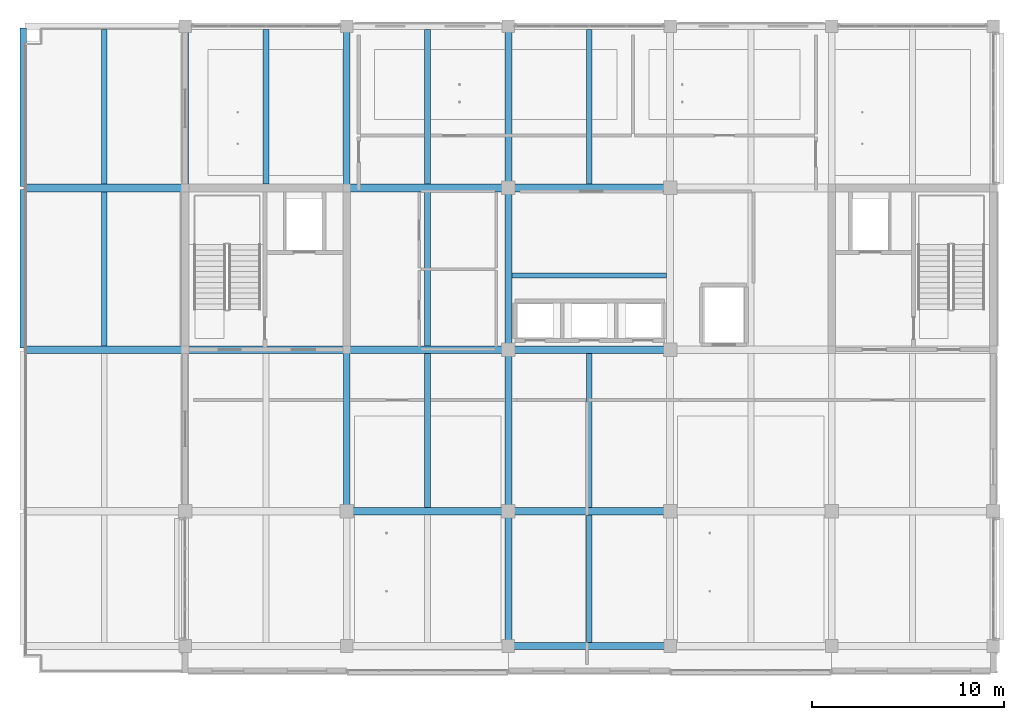
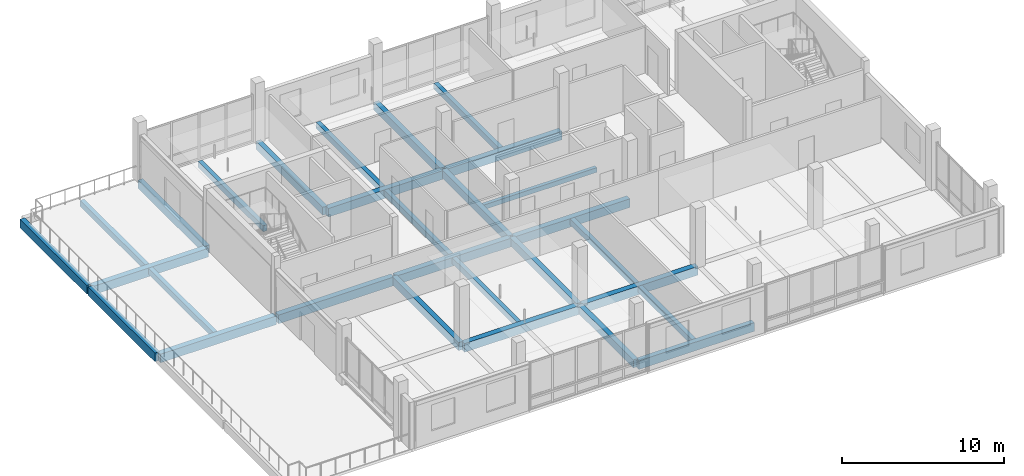
# One storey, part 3 of 28: 29 beams.
"""IFC4 building model written with IfcOpenShell, lengths in metres."""

from ifc_helpers import new_model, si_unit, direction, frame, origin, origin_2d, place, context, subcontext, project, spatial, rectangle, extrude, material, material_profile, profile_set, type_object, element, save


model = new_model("IFC4")

# Units and contexts
model_context = context("Model", 3, precision=1e-05, world=origin(), true_north=direction((0.0, 1.0)))
body_context = subcontext(model_context, "Body", "Model", "MODEL_VIEW")
ifc_project = project(units=[si_unit("LENGTHUNIT", "METRE"), si_unit("AREAUNIT", "SQUARE_METRE"), si_unit("VOLUMEUNIT", "CUBIC_METRE"), si_unit("PLANEANGLEUNIT", "RADIAN"), si_unit("MASSUNIT", "GRAM", prefix="KILO")], contexts=[model_context])

# Site, building, storey
site_placement = place(None, origin())
site = spatial("IfcSite", under=ifc_project, at=site_placement, CompositionType="ELEMENT")
building_placement = place(site_placement, origin())
building = spatial("IfcBuilding", under=site, at=building_placement, Name="Telukmera Botanical Conservatory", CompositionType="ELEMENT")
storey_placement = place(building_placement, frame((0.0, 0.0, 51.0)))
storey = spatial("IfcBuildingStorey", under=building, at=storey_placement, Name="L11", CompositionType="ELEMENT", Elevation=51.0)

# Beams
ifc_material_1 = material(Name="Concrete C40/50", Category="concrete")
ifc_material_profile_1 = material_profile(ifc_material_1, rectangle(XDim=0.300048828125, YDim=0.449951171875, at=origin_2d()), Name="RC 300x450")
ifc_profile_set_1 = profile_set([ifc_material_profile_1], Name="Concrete C40/50")
beam_type_1 = type_object("IfcBeamType", Name="Beam_B25", PredefinedType="JOIST", material=ifc_profile_set_1)
beam_1_placement = place(storey_placement, frame((54.60009765625, 26.199951171875, -0.22509765625), z_axis=(0.0, 1.0, 0.0), x_axis=(-1.0, 0.0, 0.0)))
element("IfcBeam", 1, at=beam_1_placement, inside=storey, type_object=beam_type_1, Name="Tower Secondary Floor Joist L11", PredefinedType="JOIST", context=body_context, shape_type="SweptSolid", body=[
    extrude(rectangle(XDim=0.300048828125, YDim=0.449951171875, at=origin_2d()), origin(), (0.0, 0.0, 1.0), 8.0),
])
for number, where, z_axis, x_axis, name in (
    (2, (54.60009765625, 34.60009765625, -0.22509765625), (0.0, 1.0, 0.0), (-1.0, 0.0, 0.0), "Tower Secondary Floor Joist L11"),
    (3, (63.0, 34.60009765625, -0.22509765625), (0.0, 1.0, 0.0), (-1.0, 0.0, 0.0), "Tower Secondary Floor Joist L11"),
):
    element("IfcBeam", number, at=place(storey_placement, frame(where, z_axis=z_axis, x_axis=x_axis)), inside=storey, type_object=beam_type_1, Name=name, PredefinedType="JOIST", context=body_context, shape_type="SweptSolid", body=[
        extrude(rectangle(XDim=0.300048828125, YDim=0.449951171875, at=origin_2d()), origin(), (0.0, 0.0, 1.0), 8.02490234375),
    ])
for number, where, z_axis, x_axis, name in (
    (4, (71.39990234375, 17.800048828125, -0.22509765625), (0.0, 1.0, 0.0), (-1.0, 0.0, 0.0), "Tower Secondary Floor Joist L11"),
    (5, (71.39990234375, 26.199951171875, -0.22509765625), (0.0, 1.0, 0.0), (-1.0, 0.0, 0.0), "Tower Secondary Floor Joist L11"),
):
    element("IfcBeam", number, at=place(storey_placement, frame(where, z_axis=z_axis, x_axis=x_axis)), inside=storey, type_object=beam_type_1, Name=name, PredefinedType="JOIST", context=body_context, shape_type="SweptSolid", body=[
        extrude(rectangle(XDim=0.300048828125, YDim=0.449951171875, at=origin_2d()), origin(), (0.0, 0.0, 1.0), 8.0),
    ])
beam_2_placement = place(storey_placement, frame((71.39990234375, 34.60009765625, -0.22509765625), z_axis=(0.0, 1.0, 0.0), x_axis=(-1.0, 0.0, 0.0)))
element("IfcBeam", 6, at=beam_2_placement, inside=storey, type_object=beam_type_1, Name="Tower Secondary Floor Joist L11", PredefinedType="JOIST", context=body_context, shape_type="SweptSolid", body=[
    extrude(rectangle(XDim=0.300048828125, YDim=0.449951171875, at=origin_2d()), origin(), (0.0, 0.0, 1.0), 8.02490234375),
])
beam_3_placement = place(storey_placement, frame((79.800048828125, 10.77490234375, -0.22509765625), z_axis=(0.0, 1.0, 0.0), x_axis=(-1.0, 0.0, 0.0)))
element("IfcBeam", 7, at=beam_3_placement, inside=storey, type_object=beam_type_1, Name="Tower Secondary Floor Joist L11", PredefinedType="JOIST", context=body_context, shape_type="SweptSolid", body=[
    extrude(rectangle(XDim=0.300048828125, YDim=0.449951171875, at=origin_2d()), origin(), (0.0, 0.0, 1.0), 6.625),
])
beam_4_placement = place(storey_placement, frame((79.800048828125, 17.800048828125, -0.22509765625), z_axis=(0.0, 1.0, 0.0), x_axis=(-1.0, 0.0, 0.0)))
element("IfcBeam", 8, at=beam_4_placement, inside=storey, type_object=beam_type_1, Name="Tower Secondary Floor Joist L11", PredefinedType="JOIST", context=body_context, shape_type="SweptSolid", body=[
    extrude(rectangle(XDim=0.300048828125, YDim=0.449951171875, at=origin_2d()), origin(), (0.0, 0.0, 1.0), 8.0),
])
beam_5_placement = place(storey_placement, frame((79.800048828125, 34.60009765625, -0.22509765625), z_axis=(0.0, 1.0, 0.0), x_axis=(-1.0, 0.0, 0.0)))
element("IfcBeam", 9, at=beam_5_placement, inside=storey, type_object=beam_type_1, Name="Tower Secondary Floor Joist L11", PredefinedType="JOIST", context=body_context, shape_type="SweptSolid", body=[
    extrude(rectangle(XDim=0.300048828125, YDim=0.449951171875, at=origin_2d()), origin(), (0.0, 0.0, 1.0), 8.02490234375),
])
ifc_material_profile_2 = material_profile(ifc_material_1, rectangle(XDim=0.39990234375, YDim=0.64990234375, at=origin_2d()), Name="RC 400x650")
ifc_profile_set_2 = profile_set([ifc_material_profile_2], Name="Concrete C40/50")
beam_type_2 = type_object("IfcBeamType", Name="Beam_B8", PredefinedType="BEAM", material=ifc_profile_set_2)
for number, where, z_axis, x_axis, name in (
    (10, (67.280029296875, 17.60009765625, -0.324951171875), (1.0, 0.0, 0.0), (0.0, 1.0, 0.0), "Tower Grid Beam L11"),
    (11, (75.679931640625, 17.60009765625, -0.324951171875), (1.0, 0.0, 0.0), (0.0, 1.0, 0.0), "Tower Grid Beam L11"),
    (12, (50.47998046875, 26.0, -0.324951171875), (1.0, 0.0, 0.0), (0.0, 1.0, 0.0), "Tower Grid Beam L11"),
):
    element("IfcBeam", number, at=place(storey_placement, frame(where, z_axis=z_axis, x_axis=x_axis)), inside=storey, type_object=beam_type_2, Name=name, PredefinedType="BEAM", context=body_context, shape_type="SweptSolid", body=[
        extrude(rectangle(XDim=0.39990234375, YDim=0.64990234375, at=origin_2d()), origin(), (0.0, 0.0, 1.0), 8.239990234375),
    ])
beam_6_placement = place(storey_placement, frame((58.8798828125, 26.0, -0.324951171875), z_axis=(1.0, 0.0, 0.0), x_axis=(0.0, 1.0, 0.0)))
element("IfcBeam", 13, at=beam_6_placement, inside=storey, type_object=beam_type_2, Name="Tower Grid Beam L11", PredefinedType="BEAM", context=body_context, shape_type="SweptSolid", body=[
    extrude(rectangle(XDim=0.39990234375, YDim=0.64990234375, at=origin_2d()), origin(), (0.0, 0.0, 1.0), 8.240234375),
])
for number, where, z_axis, x_axis, name in (
    (14, (67.280029296875, 26.0, -0.324951171875), (1.0, 0.0, 0.0), (0.0, 1.0, 0.0), "Tower Grid Beam L11"),
    (15, (75.679931640625, 26.0, -0.324951171875), (1.0, 0.0, 0.0), (0.0, 1.0, 0.0), "Tower Grid Beam L11"),
    (16, (50.47998046875, 34.39990234375, -0.324951171875), (1.0, 0.0, 0.0), (0.0, 1.0, 0.0), "Tower Grid Beam L11"),
    (17, (67.280029296875, 34.39990234375, -0.324951171875), (1.0, 0.0, 0.0), (0.0, 1.0, 0.0), "Tower Grid Beam L11"),
    (18, (75.679931640625, 34.39990234375, -0.324951171875), (1.0, 0.0, 0.0), (0.0, 1.0, 0.0), "Tower Grid Beam L11"),
):
    element("IfcBeam", number, at=place(storey_placement, frame(where, z_axis=z_axis, x_axis=x_axis)), inside=storey, type_object=beam_type_2, Name=name, PredefinedType="BEAM", context=body_context, shape_type="SweptSolid", body=[
        extrude(rectangle(XDim=0.39990234375, YDim=0.64990234375, at=origin_2d()), origin(), (0.0, 0.0, 1.0), 8.239990234375),
    ])
ifc_material_profile_3 = material_profile(ifc_material_1, rectangle(XDim=0.35009765625, YDim=0.60009765625, at=origin_2d()), Name="RC 350x600")
ifc_profile_set_3 = profile_set([ifc_material_profile_3], Name="Concrete C40/50")
beam_type_3 = type_object("IfcBeamType", Name="Beam_B9", PredefinedType="BEAM", material=ifc_profile_set_3)
for number, where, z_axis, x_axis, name in (
    (19, (58.800048828125, 34.47998046875, -0.300048828125), (0.0, 1.0, 0.0), (-1.0, 0.0, 0.0), "Tower Transverse Beam L11"),
    (20, (67.199951171875, 17.679931640625, -0.300048828125), (0.0, 1.0, 0.0), (-1.0, 0.0, 0.0), "Tower Transverse Beam L11"),
    (21, (67.199951171875, 34.47998046875, -0.300048828125), (0.0, 1.0, 0.0), (-1.0, 0.0, 0.0), "Tower Transverse Beam L11"),
):
    element("IfcBeam", number, at=place(storey_placement, frame(where, z_axis=z_axis, x_axis=x_axis)), inside=storey, type_object=beam_type_3, Name=name, PredefinedType="BEAM", context=body_context, shape_type="SweptSolid", body=[
        extrude(rectangle(XDim=0.35009765625, YDim=0.60009765625, at=origin_2d()), origin(), (0.0, 0.0, 1.0), 8.239990234375),
    ])
beam_7_placement = place(storey_placement, frame((75.60009765625, 10.679931640625, -0.300048828125), z_axis=(0.0, 1.0, 0.0), x_axis=(-1.0, 0.0, 0.0)))
element("IfcBeam", 22, at=beam_7_placement, inside=storey, type_object=beam_type_3, Name="Tower Transverse Beam L11", PredefinedType="BEAM", context=body_context, shape_type="SweptSolid", body=[
    extrude(rectangle(XDim=0.35009765625, YDim=0.60009765625, at=origin_2d()), origin(), (0.0, 0.0, 1.0), 6.840087890625),
])
for number, where, z_axis, x_axis, name in (
    (23, (75.60009765625, 17.679931640625, -0.300048828125), (0.0, 1.0, 0.0), (-1.0, 0.0, 0.0), "Tower Transverse Beam L11"),
    (24, (75.60009765625, 26.080078125, -0.300048828125), (0.0, 1.0, 0.0), (-1.0, 0.0, 0.0), "Tower Transverse Beam L11"),
    (25, (75.60009765625, 34.47998046875, -0.300048828125), (0.0, 1.0, 0.0), (-1.0, 0.0, 0.0), "Tower Transverse Beam L11"),
):
    element("IfcBeam", number, at=place(storey_placement, frame(where, z_axis=z_axis, x_axis=x_axis)), inside=storey, type_object=beam_type_3, Name=name, PredefinedType="BEAM", context=body_context, shape_type="SweptSolid", body=[
        extrude(rectangle(XDim=0.35009765625, YDim=0.60009765625, at=origin_2d()), origin(), (0.0, 0.0, 1.0), 8.239990234375),
    ])
ifc_material_2 = material(Name="Precast concrete C40/50", Category="concrete")
ifc_material_profile_4 = material_profile(ifc_material_2, rectangle(XDim=0.25, YDim=0.35009765625, at=origin_2d()), Name="PC 250x350")
ifc_profile_set_4 = profile_set([ifc_material_profile_4], Name="Precast concrete C40/50")
beam_type_4 = type_object("IfcBeamType", Name="Beam_LN2", PredefinedType="LINTEL", material=ifc_profile_set_4)
beam_8_placement = place(storey_placement, frame((75.77490234375, 29.85009765625, -0.175048828125), z_axis=(1.0, 0.0, 0.0), x_axis=(0.0, 1.0, 0.0)))
element("IfcBeam", 26, at=beam_8_placement, inside=storey, type_object=beam_type_4, Name="Tower Lift Bank Header Lintel L11", PredefinedType="LINTEL", context=body_context, shape_type="SweptSolid", body=[
    extrude(rectangle(XDim=0.25, YDim=0.35009765625, at=origin_2d()), origin(), (0.0, 0.0, 1.0), 8.050048828125),
])
ifc_material_profile_5 = material_profile(ifc_material_2, rectangle(XDim=0.35009765625, YDim=0.64990234375, at=origin_2d()), Name="PC 350x650")
ifc_profile_set_5 = profile_set([ifc_material_profile_5], Name="Precast concrete C40/50")
beam_type_5 = type_object("IfcBeamType", Name="Beam_SP3", PredefinedType="SPANDREL", material=ifc_profile_set_5)
for number, where, z_axis, x_axis, name in (
    (27, (75.679931640625, 10.60009765625, -0.324951171875), (1.0, 0.0, 0.0), (0.0, 1.0, 0.0), "Tower Grid Beam L11"),
    (28, (50.39990234375, 26.080078125, -0.324951171875), (0.0, 1.0, 0.0), (-1.0, 0.0, 0.0), "Tower Transverse Beam L11"),
    (29, (50.39990234375, 34.47998046875, -0.324951171875), (0.0, 1.0, 0.0), (-1.0, 0.0, 0.0), "Tower Transverse Beam L11"),
):
    element("IfcBeam", number, at=place(storey_placement, frame(where, z_axis=z_axis, x_axis=x_axis)), inside=storey, type_object=beam_type_5, Name=name, PredefinedType="SPANDREL", context=body_context, shape_type="SweptSolid", body=[
        extrude(rectangle(XDim=0.35009765625, YDim=0.64990234375, at=origin_2d()), origin(), (0.0, 0.0, 1.0), 8.239990234375),
    ])

save(model, "model.ifc")
